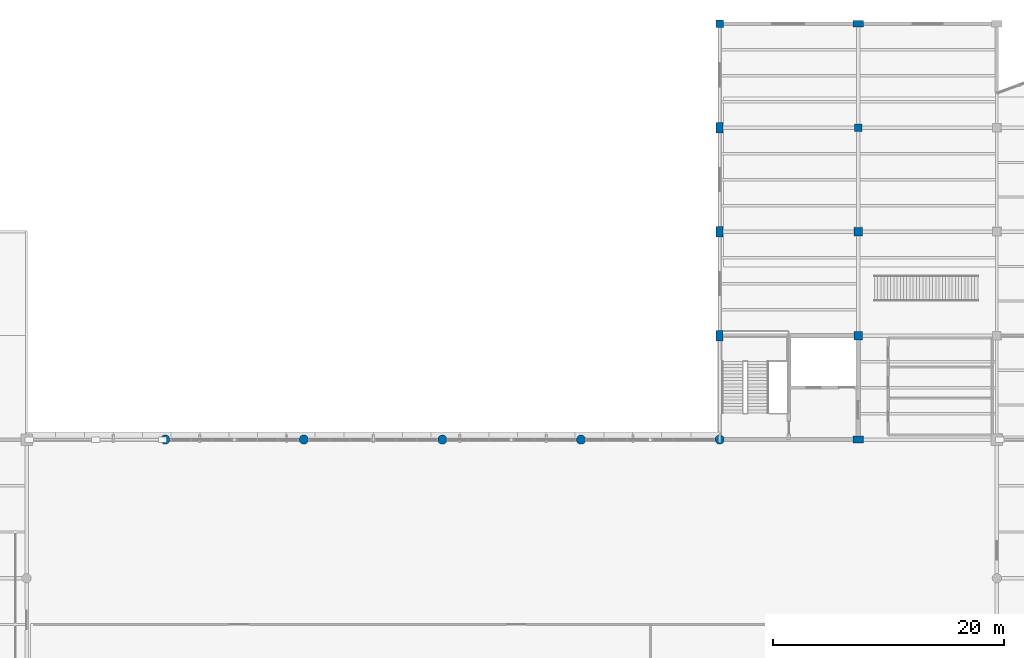
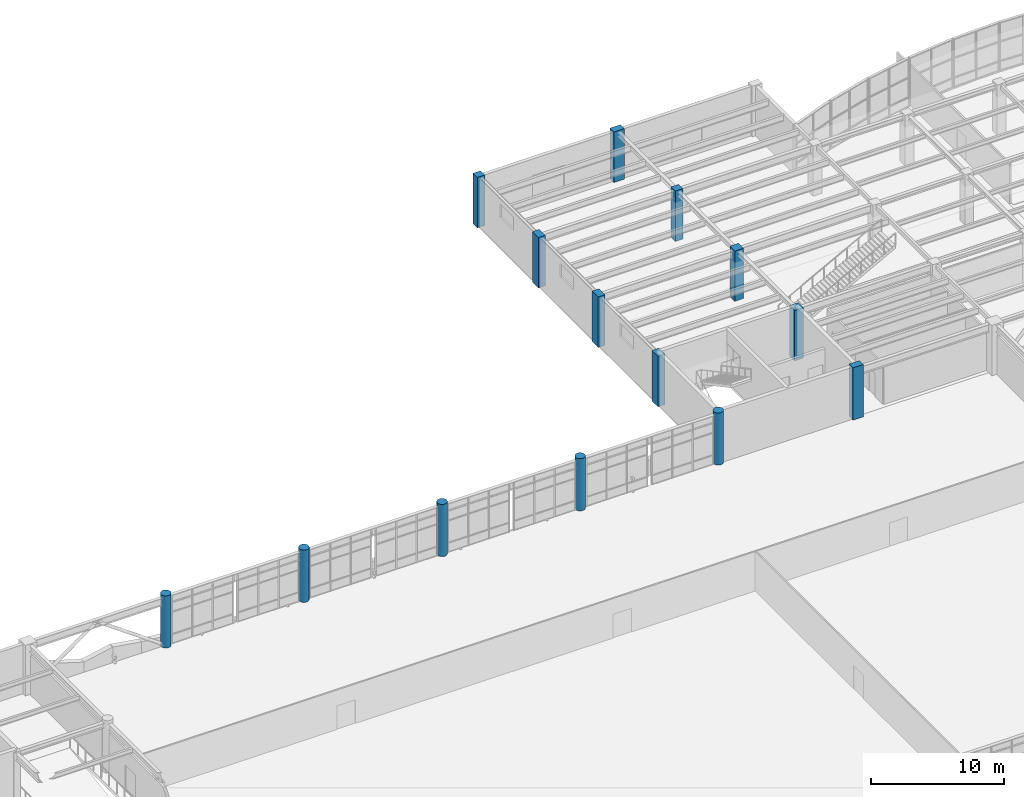
# One storey, part 5 of 72: 14 columns.
"""IFC4 building model written with IfcOpenShell, lengths in metres."""

import ifcopenshell
import ifcopenshell.guid

model = None  # the IFC model being written
_history = None  # IfcOwnerHistory: only IFC2X3 demands one
_inside = {}  # id of a spatial element -> (the spatial element, [elements in it])
_under = {}  # id of a project, library or spatial element -> (it, [spatial elements below it])
_declared = {}  # id of a project -> (the project, [libraries it declares])
_typed = {}  # id of a type object -> (the type object, [elements of that type])
_made_of = {}  # id of a material, layer set ... -> (it, [elements and type objects made of it])


def new_model(schema):
    """Start an empty IFC model of exactly this schema.

    Asked for "IFC4X3", IfcOpenShell would pick the latest addendum, in which some entities
    have other attributes; the version numbers below select the first issue.
    IFC2X3 requires an IfcOwnerHistory on every rooted entity: one is made here for all.
    """
    global model, _history
    if schema == "IFC4X3":
        model = ifcopenshell.file(schema_version=(4, 3, 0, 0))
    else:
        model = ifcopenshell.file(schema=schema)
    _inside.clear()
    _under.clear()
    _declared.clear()
    _typed.clear()
    _made_of.clear()
    _history = None
    if model.schema == "IFC2X3":
        org = make("IfcOrganization", Name="unknown")
        user = make(
            "IfcPersonAndOrganization",
            ThePerson=make("IfcPerson", FamilyName="unknown"),
            TheOrganization=org,
        )
        app = make(
            "IfcApplication",
            ApplicationDeveloper=org,
            Version="unknown",
            ApplicationFullName="unknown",
            ApplicationIdentifier="unknown",
        )
        _history = make(
            "IfcOwnerHistory",
            OwningUser=user,
            OwningApplication=app,
            ChangeAction="ADDED",
            CreationDate=0,
        )
    return model


def make(cls, **values):
    """One entity of the class cls with the attributes given. An attribute that is None is left unset."""
    return model.create_entity(
        cls, **{name: value for name, value in values.items() if value is not None}
    )


def rooted(cls, **values):
    """An entity with a GlobalId (a new one), such as an element, a storey or a relation."""
    return make(cls, GlobalId=ifcopenshell.guid.new(), OwnerHistory=_history, **values)


def si_unit(unit_type, name, prefix=None):
    """IfcSIUnit, for example si_unit("LENGTHUNIT", "METRE", prefix="MILLI")."""
    return make("IfcSIUnit", UnitType=unit_type, Prefix=prefix, Name=name)


def assignment(units):
    """IfcUnitAssignment: the units of a project."""
    return None if units is None else make("IfcUnitAssignment", Units=units)


def point(xyz):
    """IfcCartesianPoint."""
    return None if xyz is None else make("IfcCartesianPoint", Coordinates=xyz)


def direction(xyz):
    """IfcDirection."""
    return None if xyz is None else make("IfcDirection", DirectionRatios=xyz)


def frame(location, z_axis=None, x_axis=None):
    """IfcAxis2Placement3D, a coordinate frame: its origin and axes. An axis left out is left unset."""
    return make(
        "IfcAxis2Placement3D",
        Location=point(location),
        Axis=direction(z_axis),
        RefDirection=direction(x_axis),
    )


def frame_2d(location, x_axis=None):
    """IfcAxis2Placement2D, a coordinate frame in the plane: its origin and x axis."""
    return make(
        "IfcAxis2Placement2D", Location=point(location), RefDirection=direction(x_axis)
    )


def origin():
    """The frame at (0, 0, 0) with its axes left unset."""
    return frame((0.0, 0.0, 0.0))


def origin_2d():
    """The frame at (0, 0) in the plane with its x axis left unset."""
    return frame_2d((0.0, 0.0))


def place(relative_to, where):
    """IfcLocalPlacement: puts the frame where relative to a parent placement (None: the world)."""
    return make(
        "IfcLocalPlacement", PlacementRelTo=relative_to, RelativePlacement=where
    )


def context(
    kind, dimensions, precision=None, world=None, true_north=None, identifier=None
):
    """IfcGeometricRepresentationContext, for example the 3D "Model" context."""
    return make(
        "IfcGeometricRepresentationContext",
        ContextIdentifier=identifier,
        ContextType=kind,
        CoordinateSpaceDimension=dimensions,
        Precision=precision,
        WorldCoordinateSystem=world,
        TrueNorth=true_north,
    )


def subcontext(parent, identifier, kind, view, scale=None):
    """IfcGeometricRepresentationSubContext, for example "Body" below "Model"."""
    return make(
        "IfcGeometricRepresentationSubContext",
        ContextIdentifier=identifier,
        ContextType=kind,
        ParentContext=parent,
        TargetScale=scale,
        TargetView=view,
    )


def project(units=None, contexts=None):
    """IfcProject with its units and contexts."""
    return rooted(
        "IfcProject",
        Name="project",
        RepresentationContexts=contexts,
        UnitsInContext=assignment(units),
    )


def spatial(cls, under=None, at=None, **own):
    """A site, building, storey or space (cls), placed at a placement, below another one or the project."""
    s = rooted(cls, ObjectPlacement=at, **own)
    if under is not None:
        _under.setdefault(under.id(), (under, []))[1].append(s)
    return s


def profile(cls, at=None, kind="AREA", **sizes):
    """A parametric profile (cls). Its sizes go by their IFC names, for example OverallWidth=200.0."""
    return make(cls, ProfileType=kind, Position=at, **sizes)


def rectangle(**sizes):
    """IfcRectangleProfileDef."""
    return profile("IfcRectangleProfileDef", **sizes)


def circle(**sizes):
    """IfcCircleProfileDef."""
    return profile("IfcCircleProfileDef", **sizes)


def extrude(swept, where, along, depth):
    """IfcExtrudedAreaSolid: the profile swept, set in the frame where, extruded along a direction by depth."""
    return make(
        "IfcExtrudedAreaSolid",
        SweptArea=swept,
        Position=where,
        ExtrudedDirection=direction(along),
        Depth=depth,
    )


def shape(context_of_items, identifier, shape_type, items):
    """IfcShapeRepresentation: the items that make up one representation, for example the "Body"."""
    return make(
        "IfcShapeRepresentation",
        ContextOfItems=context_of_items,
        RepresentationIdentifier=identifier,
        RepresentationType=shape_type,
        Items=items,
    )


def material(Name=None, Category=None):
    """IfcMaterial."""
    return make("IfcMaterial", Name=Name, Category=Category)


def material_profile(
    of_material, cross_section, Name=None, Category=None, Priority=None
):
    """IfcMaterialProfile: a cross section and its material."""
    return make(
        "IfcMaterialProfile",
        Name=Name,
        Material=of_material,
        Profile=cross_section,
        Priority=Priority,
        Category=Category,
    )


def profile_set(profiles, Name=None, composite=None):
    """IfcMaterialProfileSet."""
    return make(
        "IfcMaterialProfileSet",
        Name=Name,
        MaterialProfiles=profiles,
        CompositeProfile=composite,
    )


def made_of(thing, what):
    """Note that an element or type object is made of a material, layer set ...; save() writes the relation."""
    if what is not None:
        _made_of.setdefault(what.id(), (what, []))[1].append(thing)
    return thing


def type_object(cls, material=None, **own):
    """A type object (cls), such as IfcWallType, which elements share."""
    return made_of(rooted(cls, **own), material)


def element(
    cls,
    number,
    at=None,
    inside=None,
    cuts=None,
    type_object=None,
    material=None,
    context=None,
    identifier="Body",
    shape_type=None,
    held_by="IfcProductDefinitionShape",
    body=None,
    shapes=None,
    **own,
):
    """One element of the class cls, such as IfcWall. Its Tag is "e" and its number.

    at: its placement. inside: the storey or other place that contains it. cuts: it is an
    opening in that element (IfcRelVoidsElement). A single representation is given by context,
    identifier, shape_type and body (its items); several are given by shapes. held_by: the class
    of the entity that holds the representations. save() writes the other relations.
    """
    e = rooted(cls, Tag="e%d" % number, ObjectPlacement=at, **own)
    if body is not None:
        shapes = [shape(context, identifier, shape_type, body)]
    if shapes is not None:
        e.Representation = make(held_by, Representations=shapes)
    if inside is not None:
        _inside.setdefault(inside.id(), (inside, []))[1].append(e)
    if cuts is not None:
        rooted(
            "IfcRelVoidsElement", RelatingBuildingElement=cuts, RelatedOpeningElement=e
        )
    if type_object is not None:
        _typed.setdefault(type_object.id(), (type_object, []))[1].append(e)
    return made_of(e, material)


def aggregate(whole, parts):
    """IfcRelAggregates: a whole, such as a stair, and the parts it consists of."""
    return rooted("IfcRelAggregates", RelatingObject=whole, RelatedObjects=parts)


def save(model, path):
    """Write the relations noted so far, then the file.

    IfcRelAggregates (storeys below a building ...), IfcRelContainedInSpatialStructure (elements
    in a storey), IfcRelDefinesByType, IfcRelAssociatesMaterial and IfcRelDeclares: one each for
    every whole, place, type object, material and project.
    """
    for whole, parts in _under.values():
        aggregate(whole, parts)
    for where, things in _inside.values():
        rooted(
            "IfcRelContainedInSpatialStructure",
            RelatedElements=things,
            RelatingStructure=where,
        )
    for kind, things in _typed.values():
        rooted("IfcRelDefinesByType", RelatedObjects=things, RelatingType=kind)
    for what, things in _made_of.values():
        rooted("IfcRelAssociatesMaterial", RelatedObjects=things, RelatingMaterial=what)
    for by, libraries in _declared.values():
        rooted("IfcRelDeclares", RelatingContext=by, RelatedDefinitions=libraries)
    model.write(path)


model = new_model("IFC4")

# Units and contexts
model_context = context("Model", 3, precision=1e-05, world=origin(), true_north=direction((0.0, 1.0)))
body_context = subcontext(model_context, "Body", "Model", "MODEL_VIEW")
ifc_project = project(units=[si_unit("LENGTHUNIT", "METRE"), si_unit("AREAUNIT", "SQUARE_METRE"), si_unit("VOLUMEUNIT", "CUBIC_METRE"), si_unit("PLANEANGLEUNIT", "RADIAN"), si_unit("MASSUNIT", "GRAM", prefix="KILO")], contexts=[model_context])

# Site, building, storey
site_placement = place(None, origin())
site = spatial("IfcSite", under=ifc_project, at=site_placement, CompositionType="ELEMENT")
building_placement = place(site_placement, origin())
building = spatial("IfcBuilding", under=site, at=building_placement, Name="Keelwater Ferry Terminal", CompositionType="ELEMENT")
storey_placement = place(building_placement, frame((0.0, 0.0, 5.39990234375)))
storey = spatial("IfcBuildingStorey", under=building, at=storey_placement, Name="L01", CompositionType="ELEMENT", Elevation=5.39990234375)

# Columns
ifc_material_1 = material(Name="Concrete C45/55", Category="concrete")
ifc_material_profile_1 = material_profile(ifc_material_1, rectangle(XDim=0.75, YDim=0.75, at=origin_2d()), Name="RC 750x750")
ifc_profile_set_1 = profile_set([ifc_material_profile_1], Name="Concrete C45/55")
column_type_1 = type_object("IfcColumnType", Name="C2 RC 750x750", PredefinedType="COLUMN", material=ifc_profile_set_1)
for number, where, z_axis, x_axis, name in (
    (1, (120.0, 99.0, 0.0), (0.0, 0.0, 1.0), (1.0, 0.0, 0.0), "Column CL-L01-0210"),
    (2, (120.0, 108.0, 0.0), (0.0, 0.0, 1.0), (1.0, 0.0, 0.0), "Column CL-L01-0216"),
):
    element("IfcColumn", number, at=place(storey_placement, frame(where, z_axis=z_axis, x_axis=x_axis)), inside=storey, type_object=column_type_1, Name=name, PredefinedType="COLUMN", context=body_context, shape_type="SweptSolid", body=[
        extrude(rectangle(XDim=0.75, YDim=0.75, at=origin_2d()), origin(), (0.0, 0.0, 1.0), 4.64013671875),
    ])
ifc_material_2 = material(Name="Concrete C45/55", Category="concrete")
ifc_material_profile_2 = material_profile(ifc_material_2, rectangle(XDim=0.64990234375, YDim=0.64990234375, at=origin_2d()), Name="RC 650x650")
ifc_profile_set_2 = profile_set([ifc_material_profile_2], Name="Concrete C45/55")
column_type_2 = type_object("IfcColumnType", Name="C3 RC 650x650", PredefinedType="COLUMN", material=ifc_profile_set_2)
column_1_placement = place(storey_placement, frame((120.0, 117.0, 0.0), z_axis=(0.0, 0.0, 1.0), x_axis=(1.0, 0.0, 0.0)))
element("IfcColumn", 3, at=column_1_placement, inside=storey, type_object=column_type_2, Name="Column CL-L01-0222", PredefinedType="COLUMN", context=body_context, shape_type="SweptSolid", body=[
    extrude(rectangle(XDim=0.64990234375, YDim=0.64990234375, at=origin_2d()), origin(), (0.0, 0.0, 1.0), 4.64013671875),
])
ifc_material_3 = material(Name="Concrete C45/55", Category="concrete")
ifc_material_profile_3 = material_profile(ifc_material_3, rectangle(XDim=0.64990234375, YDim=0.64990234375, at=origin_2d()), Name="RC 650x650")
ifc_profile_set_3 = profile_set([ifc_material_profile_3], Name="Concrete C45/55")
column_type_3 = type_object("IfcColumnType", Name="C3E RC 650x650", PredefinedType="COLUMN", material=ifc_profile_set_3)
column_2_placement = place(storey_placement, frame((108.0, 126.0, 0.0), z_axis=(0.0, 0.0, 1.0), x_axis=(1.0, 0.0, 0.0)))
element("IfcColumn", 4, at=column_2_placement, inside=storey, type_object=column_type_3, Name="Column CL-L01-0194", PredefinedType="COLUMN", context=body_context, shape_type="SweptSolid", body=[
    extrude(rectangle(XDim=0.64990234375, YDim=0.64990234375, at=origin_2d()), origin(), (0.0, 0.0, 1.0), 4.64013671875),
])
ifc_material_4 = material(Name="Concrete C50/60", Category="concrete")
ifc_material_profile_4 = material_profile(ifc_material_4, circle(Radius=0.39990234375, at=origin_2d()), Name="RC D800")
ifc_profile_set_4 = profile_set([ifc_material_profile_4], Name="Concrete C50/60")
column_type_4 = type_object("IfcColumnType", Name="C6 RC D800", PredefinedType="COLUMN", material=ifc_profile_set_4)
for number, where, z_axis, x_axis, name in (
    (5, (60.0, 90.0, 0.0), (0.0, 0.0, 1.0), (1.0, 0.0, 0.0), "Column CL-L01-0120"),
    (6, (72.0, 90.0, 0.0), (0.0, 0.0, 1.0), (1.0, 0.0, 0.0), "Column CL-L01-0133"),
    (7, (84.0, 90.0, 0.0), (0.0, 0.0, 1.0), (1.0, 0.0, 0.0), "Column CL-L01-0146"),
    (8, (96.0, 90.0, 0.0), (0.0, 0.0, 1.0), (1.0, 0.0, 0.0), "Column CL-L01-0159"),
):
    element("IfcColumn", number, at=place(storey_placement, frame(where, z_axis=z_axis, x_axis=x_axis)), inside=storey, type_object=column_type_4, Name=name, PredefinedType="COLUMN", context=body_context, shape_type="SweptSolid", body=[
        extrude(circle(Radius=0.39990234375, at=origin_2d()), origin(), (0.0, 0.0, 1.0), 4.800048828125),
    ])
ifc_material_5 = material(Name="Concrete C50/60", Category="concrete")
ifc_material_profile_5 = material_profile(ifc_material_5, circle(Radius=0.39990234375, at=origin_2d()), Name="RC D800")
ifc_profile_set_5 = profile_set([ifc_material_profile_5], Name="Concrete C50/60")
column_type_5 = type_object("IfcColumnType", Name="C6E RC D800", PredefinedType="COLUMN", material=ifc_profile_set_5)
column_3_placement = place(storey_placement, frame((108.0, 90.0, 0.0), z_axis=(0.0, 0.0, 1.0), x_axis=(1.0, 0.0, 0.0)))
element("IfcColumn", 9, at=column_3_placement, inside=storey, type_object=column_type_5, Name="Column CL-L01-0172", PredefinedType="COLUMN", context=body_context, shape_type="SweptSolid", body=[
    extrude(circle(Radius=0.39990234375, at=origin_2d()), origin(), (0.0, 0.0, 1.0), 4.800048828125),
])
ifc_material_6 = material(Name="Concrete C45/55", Category="concrete")
ifc_material_profile_6 = material_profile(ifc_material_6, rectangle(XDim=0.60009765625, YDim=0.89990234375, at=origin_2d()), Name="RC 900x600")
ifc_profile_set_6 = profile_set([ifc_material_profile_6], Name="Concrete C45/55")
column_type_6 = type_object("IfcColumnType", Name="PL1E RC 900x600", PredefinedType="PILASTER", material=ifc_profile_set_6)
for number, where, z_axis, x_axis, name in (
    (10, (108.0, 99.0, 0.0), (0.0, 0.0, 1.0), (1.0, 0.0, 0.0), "Column CL-L01-0178"),
    (11, (108.0, 108.0, 0.0), (0.0, 0.0, 1.0), (1.0, 0.0, 0.0), "Column CL-L01-0184"),
    (12, (108.0, 117.0, 0.0), (0.0, 0.0, 1.0), (1.0, 0.0, 0.0), "Column CL-L01-0190"),
):
    element("IfcColumn", number, at=place(storey_placement, frame(where, z_axis=z_axis, x_axis=x_axis)), inside=storey, type_object=column_type_6, Name=name, PredefinedType="PILASTER", context=body_context, shape_type="SweptSolid", body=[
        extrude(rectangle(XDim=0.60009765625, YDim=0.89990234375, at=origin_2d()), origin(), (0.0, 0.0, 1.0), 4.64013671875),
    ])
column_4_placement = place(storey_placement, frame((120.0, 90.0, 0.0), z_axis=(0.0, 0.0, 1.0), x_axis=(0.0, 1.0, 0.0)))
element("IfcColumn", 13, at=column_4_placement, inside=storey, type_object=column_type_6, Name="Column CL-L01-0204", PredefinedType="PILASTER", context=body_context, shape_type="SweptSolid", body=[
    extrude(rectangle(XDim=0.60009765625, YDim=0.89990234375, at=origin_2d()), origin(), (0.0, 0.0, 1.0), 4.800048828125),
])
column_5_placement = place(storey_placement, frame((120.0, 126.0, 0.0), z_axis=(0.0, 0.0, 1.0), x_axis=(0.0, 1.0, 0.0)))
element("IfcColumn", 14, at=column_5_placement, inside=storey, type_object=column_type_6, Name="Column CL-L01-0227", PredefinedType="PILASTER", context=body_context, shape_type="SweptSolid", body=[
    extrude(rectangle(XDim=0.60009765625, YDim=0.89990234375, at=origin_2d()), origin(), (0.0, 0.0, 1.0), 4.64013671875),
])

save(model, "model.ifc")
